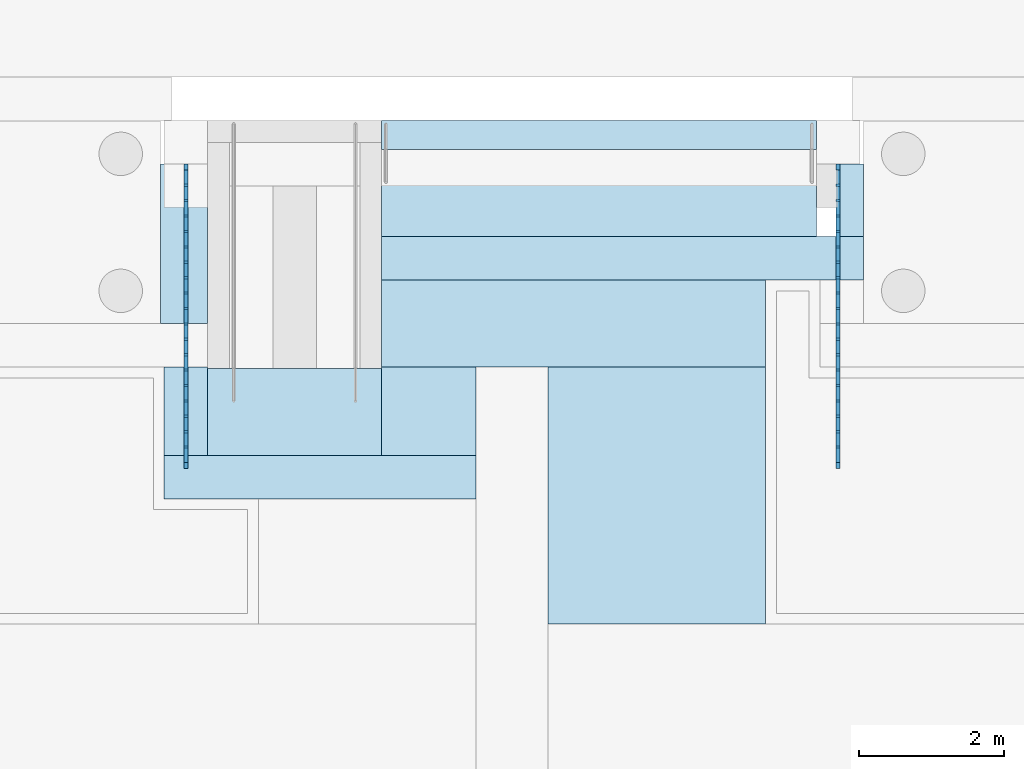
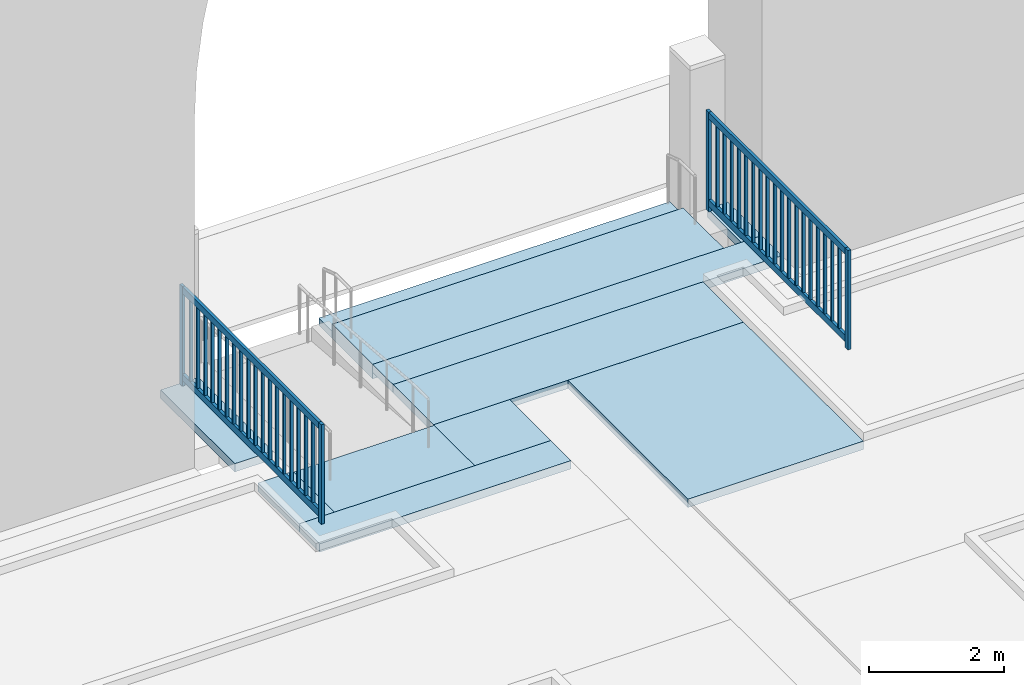
# One storey, part 84 of 250: 44 plates, 11 slabs.
"""IFC4 building model written with IfcOpenShell, lengths in metres."""

from ifc_helpers import new_model, si_unit, direction, frame, origin, origin_2d, place, context, subcontext, project, spatial, polyline, rectangle, outline, extrude, material, layer, layer_set, type_object, element, save


model = new_model("IFC4")

# Units and contexts
model_context = context("Model", 3, precision=1e-05, world=origin(), true_north=direction((0.0, 1.0)))
body_context = subcontext(model_context, "Body", "Model", "MODEL_VIEW")
ifc_project = project(units=[si_unit("LENGTHUNIT", "METRE"), si_unit("AREAUNIT", "SQUARE_METRE"), si_unit("VOLUMEUNIT", "CUBIC_METRE"), si_unit("PLANEANGLEUNIT", "RADIAN"), si_unit("MASSUNIT", "GRAM", prefix="KILO")], contexts=[model_context])

# Site, building, storey
site_placement = place(None, origin())
site = spatial("IfcSite", under=ifc_project, at=site_placement, CompositionType="ELEMENT")
building_placement = place(site_placement, origin())
building = spatial("IfcBuilding", under=site, at=building_placement, Name="Baradari Gate Terminus", CompositionType="ELEMENT")
storey_placement = place(building_placement, origin())
storey = spatial("IfcBuildingStorey", under=building, at=storey_placement, Name="L00", CompositionType="ELEMENT", Elevation=0.0)

# Slabs
ifc_material_1 = material(Name="Concrete C32/40", Category="concrete")
ifc_layer_1 = layer(ifc_material_1, 0.260009765625)
ifc_layer_set_1 = layer_set([ifc_layer_1], Name="Concrete C32/40")
slab_type_1 = type_object("IfcSlabType", Name="Entrance landing slab SL15 260", PredefinedType="BASESLAB", material=ifc_layer_set_1)
slab_1_placement = place(storey_placement, frame((0.0, 0.0, -0.260009765625)))
element("IfcSlab", 1, at=slab_1_placement, inside=storey, type_object=slab_type_1, Name="Entrance landing Garden gate steps", PredefinedType="BASESLAB", context=body_context, shape_type="SweptSolid", body=[
    extrude(outline(polyline([(157.199951171875, 148.39990234375), (157.199951171875, 149.60009765625), (151.199951171875, 149.60009765625), (151.199951171875, 148.39990234375), (157.199951171875, 148.39990234375)])), origin(), (0.0, 0.0, 1.0), 0.260009765625),
])
slab_2_placement = place(storey_placement, frame((0.0, 0.0, -0.260009765625)))
element("IfcSlab", 2, at=slab_2_placement, inside=storey, type_object=slab_type_1, Name="Entrance landing Garden gate ramp", PredefinedType="BASESLAB", context=body_context, shape_type="SweptSolid", body=[
    extrude(outline(polyline([(151.199951171875, 145.3798828125), (151.199951171875, 146.580078125), (148.800048828125, 146.580078125), (148.800048828125, 145.3798828125), (151.199951171875, 145.3798828125)])), origin(), (0.0, 0.0, 1.0), 0.260009765625),
])
ifc_material_2 = material(Name="Concrete C32/40", Category="concrete")
ifc_layer_2 = layer(ifc_material_2, 0.1298828125)
ifc_layer_set_2 = layer_set([ifc_layer_2], Name="Concrete C32/40")
slab_type_2 = type_object("IfcSlabType", Name="Entrance step slab SL16 130", PredefinedType="LANDING", material=ifc_layer_set_2)
slab_3_placement = place(storey_placement, frame((0.0, 0.0, -0.260009765625)))
element("IfcSlab", 3, at=slab_3_placement, inside=storey, type_object=slab_type_2, Name="Entrance step 1 Garden gate", PredefinedType="LANDING", context=body_context, shape_type="SweptSolid", body=[
    extrude(outline(polyline([(157.199951171875, 149.60009765625), (157.199951171875, 149.998046875), (151.199951171875, 149.998046875), (151.199951171875, 149.60009765625), (157.199951171875, 149.60009765625)])), origin(), (0.0, 0.0, 1.0), 0.130126953125),
])

# Plates
ifc_material_3 = material(Name="Bronze-anodised aluminium", Category="aluminium")
ifc_layer_3 = layer(ifc_material_3, 0.050048828125)
ifc_layer_set_3 = layer_set([ifc_layer_3], Name="Bronze-anodised aluminium")
plate_type_1 = type_object("IfcPlateType", Name="Gate leaf bar GT-3 30x1460", PredefinedType="SHEET", material=ifc_layer_set_3)
for number, where, z_axis, x_axis, name in (
    (4, (148.5, 149.107421875, 0.219970703125), (0.0, 0.0, 1.0), (1.0, 0.0, 0.0), "Gate leaf Garden gate a bar 1"),
    (5, (148.5, 148.894775390625, 0.219970703125), (0.0, 0.0, 1.0), (1.0, 0.0, 0.0), "Gate leaf Garden gate a bar 2"),
    (6, (148.5, 148.68212890625, 0.219970703125), (0.0, 0.0, 1.0), (1.0, 0.0, 0.0), "Gate leaf Garden gate a bar 3"),
    (7, (148.5, 148.469482421875, 0.219970703125), (0.0, 0.0, 1.0), (1.0, 0.0, 0.0), "Gate leaf Garden gate a bar 4"),
    (8, (148.5, 148.2568359375, 0.219970703125), (0.0, 0.0, 1.0), (1.0, 0.0, 0.0), "Gate leaf Garden gate a bar 5"),
    (9, (148.5, 148.044189453125, 0.219970703125), (0.0, 0.0, 1.0), (1.0, 0.0, 0.0), "Gate leaf Garden gate a bar 6"),
    (10, (148.5, 147.83154296875, 0.219970703125), (0.0, 0.0, 1.0), (1.0, 0.0, 0.0), "Gate leaf Garden gate a bar 7"),
    (11, (148.5, 147.618896484375, 0.219970703125), (0.0, 0.0, 1.0), (1.0, 0.0, 0.0), "Gate leaf Garden gate a bar 8"),
    (12, (148.5, 147.40625, 0.219970703125), (0.0, 0.0, 1.0), (1.0, 0.0, 0.0), "Gate leaf Garden gate a bar 9"),
    (13, (148.5, 147.193603515625, 0.219970703125), (0.0, 0.0, 1.0), (1.0, 0.0, 0.0), "Gate leaf Garden gate a bar 10"),
    (14, (148.5, 146.98095703125, 0.219970703125), (0.0, 0.0, 1.0), (1.0, 0.0, 0.0), "Gate leaf Garden gate a bar 11"),
    (15, (148.5, 146.768310546875, 0.219970703125), (0.0, 0.0, 1.0), (1.0, 0.0, 0.0), "Gate leaf Garden gate a bar 12"),
    (16, (148.5, 146.555908203125, 0.219970703125), (0.0, 0.0, 1.0), (1.0, 0.0, 0.0), "Gate leaf Garden gate a bar 13"),
    (17, (148.5, 146.34326171875, 0.219970703125), (0.0, 0.0, 1.0), (1.0, 0.0, 0.0), "Gate leaf Garden gate a bar 14"),
    (18, (148.5, 146.130615234375, 0.219970703125), (0.0, 0.0, 1.0), (1.0, 0.0, 0.0), "Gate leaf Garden gate a bar 15"),
    (19, (148.5, 145.91796875, 0.219970703125), (0.0, 0.0, 1.0), (1.0, 0.0, 0.0), "Gate leaf Garden gate a bar 16"),
    (20, (148.5, 145.705322265625, 0.219970703125), (0.0, 0.0, 1.0), (1.0, 0.0, 0.0), "Gate leaf Garden gate a bar 17"),
    (21, (148.5, 145.49267578125, 0.219970703125), (0.0, 0.0, 1.0), (1.0, 0.0, 0.0), "Gate leaf Garden gate a bar 18"),
    (22, (157.5, 149.107421875, 0.219970703125), (0.0, 0.0, 1.0), (1.0, 0.0, 0.0), "Gate leaf Garden gate b bar 1"),
    (23, (157.5, 148.894775390625, 0.219970703125), (0.0, 0.0, 1.0), (1.0, 0.0, 0.0), "Gate leaf Garden gate b bar 2"),
    (24, (157.5, 148.68212890625, 0.219970703125), (0.0, 0.0, 1.0), (1.0, 0.0, 0.0), "Gate leaf Garden gate b bar 3"),
    (25, (157.5, 148.469482421875, 0.219970703125), (0.0, 0.0, 1.0), (1.0, 0.0, 0.0), "Gate leaf Garden gate b bar 4"),
    (26, (157.5, 148.2568359375, 0.219970703125), (0.0, 0.0, 1.0), (1.0, 0.0, 0.0), "Gate leaf Garden gate b bar 5"),
    (27, (157.5, 148.044189453125, 0.219970703125), (0.0, 0.0, 1.0), (1.0, 0.0, 0.0), "Gate leaf Garden gate b bar 6"),
    (28, (157.5, 147.83154296875, 0.219970703125), (0.0, 0.0, 1.0), (1.0, 0.0, 0.0), "Gate leaf Garden gate b bar 7"),
    (29, (157.5, 147.618896484375, 0.219970703125), (0.0, 0.0, 1.0), (1.0, 0.0, 0.0), "Gate leaf Garden gate b bar 8"),
    (30, (157.5, 147.40625, 0.219970703125), (0.0, 0.0, 1.0), (1.0, 0.0, 0.0), "Gate leaf Garden gate b bar 9"),
    (31, (157.5, 147.193603515625, 0.219970703125), (0.0, 0.0, 1.0), (1.0, 0.0, 0.0), "Gate leaf Garden gate b bar 10"),
    (32, (157.5, 146.98095703125, 0.219970703125), (0.0, 0.0, 1.0), (1.0, 0.0, 0.0), "Gate leaf Garden gate b bar 11"),
    (33, (157.5, 146.768310546875, 0.219970703125), (0.0, 0.0, 1.0), (1.0, 0.0, 0.0), "Gate leaf Garden gate b bar 12"),
    (34, (157.5, 146.555908203125, 0.219970703125), (0.0, 0.0, 1.0), (1.0, 0.0, 0.0), "Gate leaf Garden gate b bar 13"),
    (35, (157.5, 146.34326171875, 0.219970703125), (0.0, 0.0, 1.0), (1.0, 0.0, 0.0), "Gate leaf Garden gate b bar 14"),
    (36, (157.5, 146.130615234375, 0.219970703125), (0.0, 0.0, 1.0), (1.0, 0.0, 0.0), "Gate leaf Garden gate b bar 15"),
    (37, (157.5, 145.91796875, 0.219970703125), (0.0, 0.0, 1.0), (1.0, 0.0, 0.0), "Gate leaf Garden gate b bar 16"),
    (38, (157.5, 145.705322265625, 0.219970703125), (0.0, 0.0, 1.0), (1.0, 0.0, 0.0), "Gate leaf Garden gate b bar 17"),
    (39, (157.5, 145.49267578125, 0.219970703125), (0.0, 0.0, 1.0), (1.0, 0.0, 0.0), "Gate leaf Garden gate b bar 18"),
):
    element("IfcPlate", number, at=place(storey_placement, frame(where, z_axis=z_axis, x_axis=x_axis)), inside=storey, type_object=plate_type_1, Name=name, PredefinedType="SHEET", context=body_context, shape_type="SweptSolid", body=[
        extrude(rectangle(XDim=0.050048828125, YDim=0.030029296875, at=origin_2d()), origin(), (0.0, 0.0, 1.0), 1.4599609375),
    ])
ifc_material_4 = material(Name="Bronze-anodised aluminium", Category="aluminium")
ifc_layer_4 = layer(ifc_material_4, 0.050048828125)
ifc_layer_set_4 = layer_set([ifc_layer_4], Name="Bronze-anodised aluminium")
plate_type_2 = type_object("IfcPlateType", Name="Gate leaf rail GT-2 4040x120", PredefinedType="SHEET", material=ifc_layer_set_4)
for number, where, z_axis, x_axis, name in (
    (40, (148.5, 147.300048828125, 0.099853515625), (0.0, 0.0, 1.0), (1.0, 0.0, 0.0), "Gate leaf Garden gate a rail 1"),
    (41, (148.5, 147.300048828125, 1.679931640625), (0.0, 0.0, 1.0), (1.0, 0.0, 0.0), "Gate leaf Garden gate a rail 2"),
    (42, (157.5, 147.300048828125, 0.099853515625), (0.0, 0.0, 1.0), (1.0, 0.0, 0.0), "Gate leaf Garden gate b rail 1"),
    (43, (157.5, 147.300048828125, 1.679931640625), (0.0, 0.0, 1.0), (1.0, 0.0, 0.0), "Gate leaf Garden gate b rail 2"),
):
    element("IfcPlate", number, at=place(storey_placement, frame(where, z_axis=z_axis, x_axis=x_axis)), inside=storey, type_object=plate_type_2, Name=name, PredefinedType="SHEET", context=body_context, shape_type="SweptSolid", body=[
        extrude(rectangle(XDim=0.050048828125, YDim=4.0400390625, at=origin_2d()), origin(), (0.0, 0.0, 1.0), 0.1201171875),
    ])
ifc_material_5 = material(Name="Bronze-anodised aluminium", Category="aluminium")
ifc_layer_5 = layer(ifc_material_5, 0.050048828125)
ifc_layer_set_5 = layer_set([ifc_layer_5], Name="Bronze-anodised aluminium")
plate_type_3 = type_object("IfcPlateType", Name="Gate leaf stile GT-1 80x1800", PredefinedType="SHEET", material=ifc_layer_set_5)
for number, where, z_axis, x_axis, name in (
    (44, (148.5, 149.360107421875, 0.0), (0.0, 0.0, 1.0), (1.0, 0.0, 0.0), "Gate leaf Garden gate a stile 1"),
    (45, (148.5, 145.239990234375, 0.0), (0.0, 0.0, 1.0), (1.0, 0.0, 0.0), "Gate leaf Garden gate a stile 2"),
    (46, (157.5, 149.360107421875, 0.0), (0.0, 0.0, 1.0), (1.0, 0.0, 0.0), "Gate leaf Garden gate b stile 1"),
    (47, (157.5, 145.239990234375, 0.0), (0.0, 0.0, 1.0), (1.0, 0.0, 0.0), "Gate leaf Garden gate b stile 2"),
):
    element("IfcPlate", number, at=place(storey_placement, frame(where, z_axis=z_axis, x_axis=x_axis)), inside=storey, type_object=plate_type_3, Name=name, PredefinedType="SHEET", context=body_context, shape_type="SweptSolid", body=[
        extrude(rectangle(XDim=0.050048828125, YDim=0.080078125, at=origin_2d()), origin(), (0.0, 0.0, 1.0), 1.800048828125),
    ])

# Slabs
ifc_material_6 = material(Name="Concrete C32/40", Category="concrete")
ifc_layer_6 = layer(ifc_material_6, 0.11)
ifc_material_7 = material(Name="Sandstone paving", Category="masonry")
ifc_layer_7 = layer(ifc_material_7, 0.04)
ifc_layer_set_6 = layer_set([ifc_layer_6, ifc_layer_7], Name="Concrete C32/40")
slab_type_3 = type_object("IfcSlabType", Name="Sandstone paving slab SL13 150", PredefinedType="BASESLAB", material=ifc_layer_set_6)
slab_4_placement = place(storey_placement, frame((0.0, 0.0, -0.14990234375)))
element("IfcSlab", 48, at=slab_4_placement, inside=storey, type_object=slab_type_3, Name="Charbagh walks 11", PredefinedType="BASESLAB", context=body_context, shape_type="SweptSolid", body=[
    extrude(outline(polyline([(152.5, 144.780029296875), (152.5, 145.3798828125), (148.199951171875, 145.3798828125), (148.199951171875, 144.780029296875), (152.5, 144.780029296875)])), origin(), (0.0, 0.0, 1.0), 0.14990234375),
])
slab_5_placement = place(storey_placement, frame((0.0, 0.0, -0.14990234375)))
element("IfcSlab", 49, at=slab_5_placement, inside=storey, type_object=slab_type_3, Name="Charbagh walks 12", PredefinedType="BASESLAB", context=body_context, shape_type="SweptSolid", body=[
    extrude(outline(polyline([(156.5, 143.050048828125), (156.5, 146.60009765625), (153.5, 146.60009765625), (153.5, 143.050048828125), (156.5, 143.050048828125)])), origin(), (0.0, 0.0, 1.0), 0.14990234375),
])
slab_6_placement = place(storey_placement, frame((0.0, 0.0, -0.14990234375)))
element("IfcSlab", 50, at=slab_6_placement, inside=storey, type_object=slab_type_3, Name="Charbagh walks 13", PredefinedType="BASESLAB", context=body_context, shape_type="SweptSolid", body=[
    extrude(outline(polyline([(152.5, 145.3798828125), (152.5, 146.60009765625), (151.199951171875, 146.60009765625), (151.199951171875, 145.3798828125), (152.5, 145.3798828125)])), origin(), (0.0, 0.0, 1.0), 0.14990234375),
])
slab_7_placement = place(storey_placement, frame((0.0, 0.0, -0.14990234375)))
element("IfcSlab", 51, at=slab_7_placement, inside=storey, type_object=slab_type_3, Name="Charbagh walks 14", PredefinedType="BASESLAB", context=body_context, shape_type="SweptSolid", body=[
    extrude(outline(polyline([(148.800048828125, 145.3798828125), (148.800048828125, 146.60009765625), (148.199951171875, 146.60009765625), (148.199951171875, 145.3798828125), (148.800048828125, 145.3798828125)])), origin(), (0.0, 0.0, 1.0), 0.14990234375),
])
slab_8_placement = place(storey_placement, frame((0.0, 0.0, -0.14990234375)))
element("IfcSlab", 52, at=slab_8_placement, inside=storey, type_object=slab_type_3, Name="Charbagh walks 17", PredefinedType="BASESLAB", context=body_context, shape_type="SweptSolid", body=[
    extrude(outline(polyline([(156.5, 146.60009765625), (156.5, 147.800048828125), (151.199951171875, 147.800048828125), (151.199951171875, 146.60009765625), (156.5, 146.60009765625)])), origin(), (0.0, 0.0, 1.0), 0.14990234375),
])
slab_9_placement = place(storey_placement, frame((0.0, 0.0, -0.14990234375)))
element("IfcSlab", 53, at=slab_9_placement, inside=storey, type_object=slab_type_3, Name="Charbagh walks 23", PredefinedType="BASESLAB", context=body_context, shape_type="SweptSolid", body=[
    extrude(outline(polyline([(157.85009765625, 147.800048828125), (157.85009765625, 148.39990234375), (151.199951171875, 148.39990234375), (151.199951171875, 147.800048828125), (157.85009765625, 147.800048828125)])), origin(), (0.0, 0.0, 1.0), 0.14990234375),
])
slab_10_placement = place(storey_placement, frame((0.0, 0.0, -0.14990234375)))
element("IfcSlab", 54, at=slab_10_placement, inside=storey, type_object=slab_type_3, Name="Charbagh walks 24", PredefinedType="BASESLAB", context=body_context, shape_type="SweptSolid", body=[
    extrude(outline(polyline([(148.800048828125, 147.199951171875), (148.800048828125, 149.39990234375), (148.14990234375, 149.39990234375), (148.14990234375, 147.199951171875), (148.800048828125, 147.199951171875)])), origin(), (0.0, 0.0, 1.0), 0.14990234375),
])
slab_11_placement = place(storey_placement, frame((0.0, 0.0, -0.14990234375)))
element("IfcSlab", 55, at=slab_11_placement, inside=storey, type_object=slab_type_3, Name="Charbagh walks 25", PredefinedType="BASESLAB", context=body_context, shape_type="SweptSolid", body=[
    extrude(outline(polyline([(157.85009765625, 148.39990234375), (157.85009765625, 149.39990234375), (157.5, 149.39990234375), (157.5, 148.39990234375), (157.85009765625, 148.39990234375)])), origin(), (0.0, 0.0, 1.0), 0.14990234375),
])

save(model, "model.ifc")
